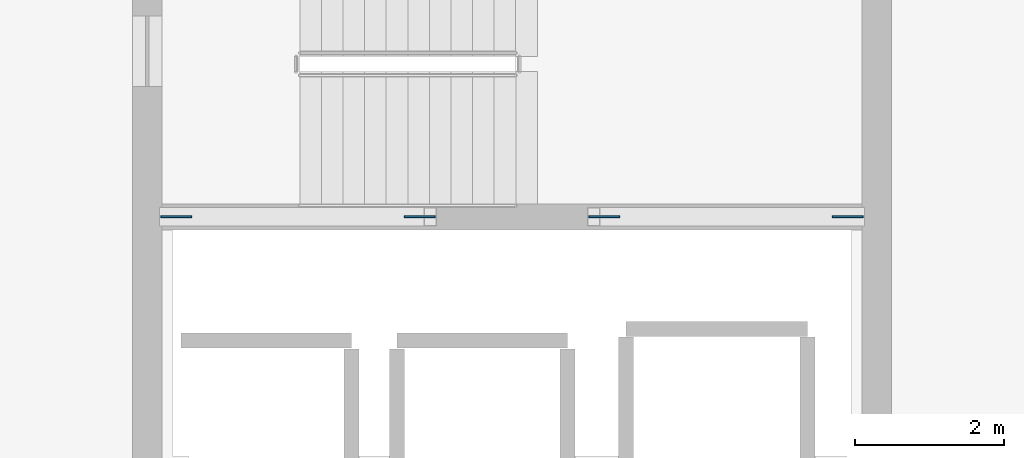
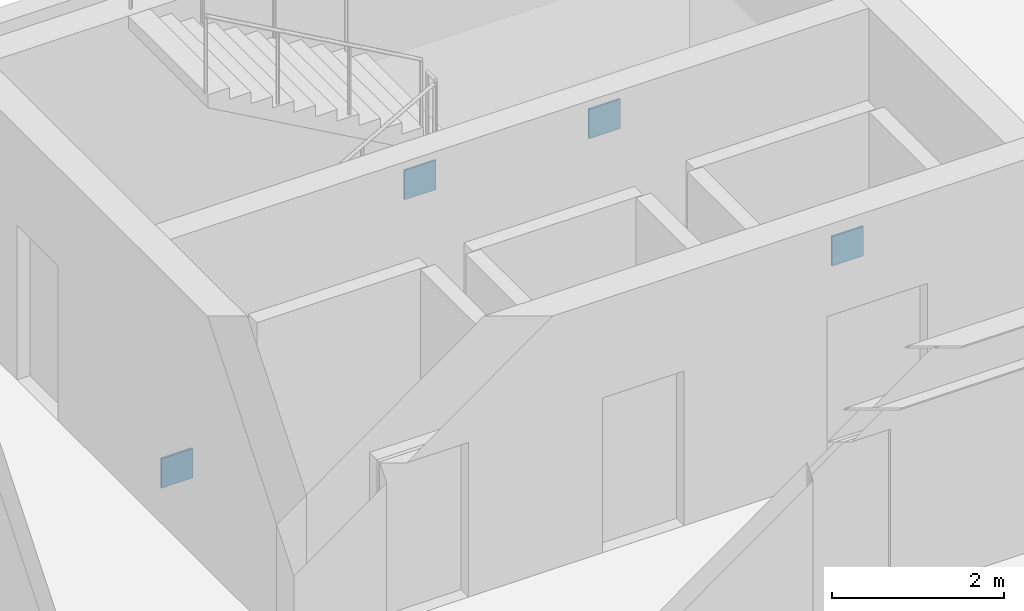
# One storey, part 10 of 27: 4 plates.
"""IFC4 building model written with IfcOpenShell, lengths in metres."""

from ifc_helpers import new_model, si_unit, direction, frame, origin, origin_2d, place, context, subcontext, project, spatial, rectangle, extrude, material, layer, layer_set, type_object, element, save


model = new_model("IFC4")

# Units and contexts
model_context = context("Model", 3, precision=1e-05, world=origin(), true_north=direction((0.0, 1.0)))
body_context = subcontext(model_context, "Body", "Model", "MODEL_VIEW")
ifc_project = project(units=[si_unit("LENGTHUNIT", "METRE"), si_unit("AREAUNIT", "SQUARE_METRE"), si_unit("VOLUMEUNIT", "CUBIC_METRE"), si_unit("PLANEANGLEUNIT", "RADIAN"), si_unit("MASSUNIT", "GRAM", prefix="KILO")], contexts=[model_context])

# Site, building, storey
site_placement = place(None, origin())
site = spatial("IfcSite", under=ifc_project, at=site_placement, CompositionType="ELEMENT")
building_placement = place(site_placement, origin())
building = spatial("IfcBuilding", under=site, at=building_placement, Name="Sollismere Congress Hotel", CompositionType="ELEMENT")
storey_placement = place(building_placement, frame((0.0, 0.0, 27.0)))
storey = spatial("IfcBuildingStorey", under=building, at=storey_placement, Name="L06", CompositionType="ELEMENT", Elevation=27.0)

# Plates
ifc_material = material(Name="Steel ASTM A572 Grade 50", Category="steel")
ifc_layer = layer(ifc_material, 0.02490234375, Name="Steel ASTM A572 Grade 50")
ifc_layer_set = layer_set([ifc_layer], Name="Steel ASTM A572 Grade 50")
plate_type = type_object("IfcPlateType", Name="PL-GS25", PredefinedType="USERDEFINED", material=ifc_layer_set)
for number, where, z_axis, x_axis, name in (
    (1, (94.18994140625, 14.35009765625, -0.030029296875), (0.0, 0.0, 1.0), (1.0, 0.0, 0.0), "PLT-GBF-BF-013-A"),
    (2, (97.4599609375, 14.35009765625, 2.925048828125), (0.0, 0.0, 1.0), (1.0, 0.0, 0.0), "PLT-GBF-BF-013-B"),
    (3, (103.2099609375, 14.35009765625, -0.030029296875), (0.0, 0.0, 1.0), (1.0, 0.0, 0.0), "PLT-GBF-BF-014-A"),
    (4, (99.93994140625, 14.35009765625, 2.925048828125), (0.0, 0.0, 1.0), (1.0, 0.0, 0.0), "PLT-GBF-BF-014-B"),
):
    element("IfcPlate", number, at=place(storey_placement, frame(where, z_axis=z_axis, x_axis=x_axis)), inside=storey, type_object=plate_type, Name=name, ObjectType="GUSSET PLATE", PredefinedType="USERDEFINED", context=body_context, shape_type="SweptSolid", body=[
        extrude(rectangle(XDim=0.419921875, YDim=0.02490234375, at=origin_2d()), origin(), (0.0, 0.0, 1.0), 0.419921875),
    ])

save(model, "model.ifc")
